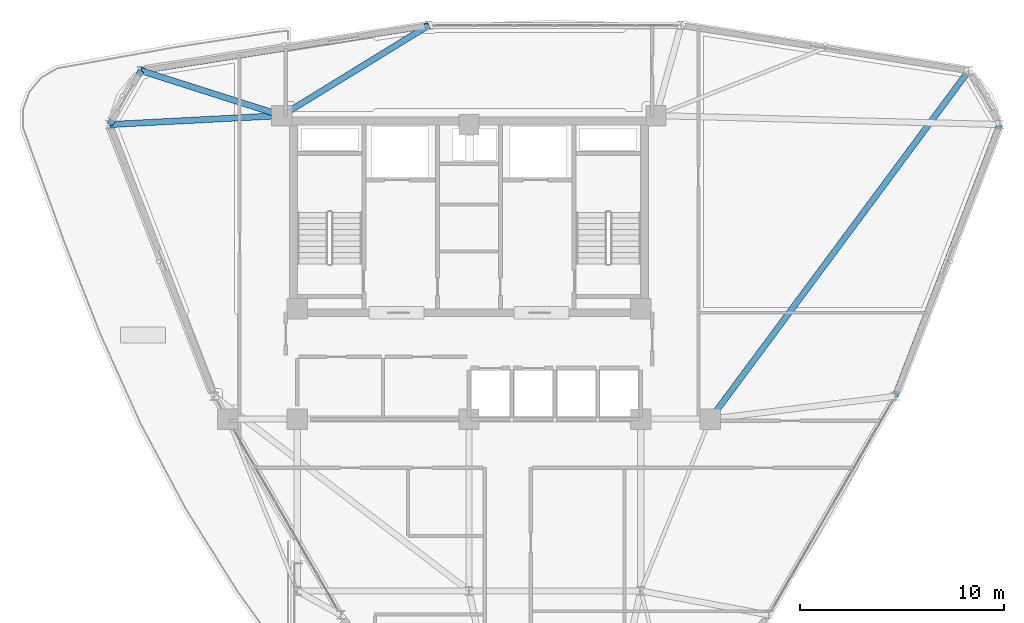
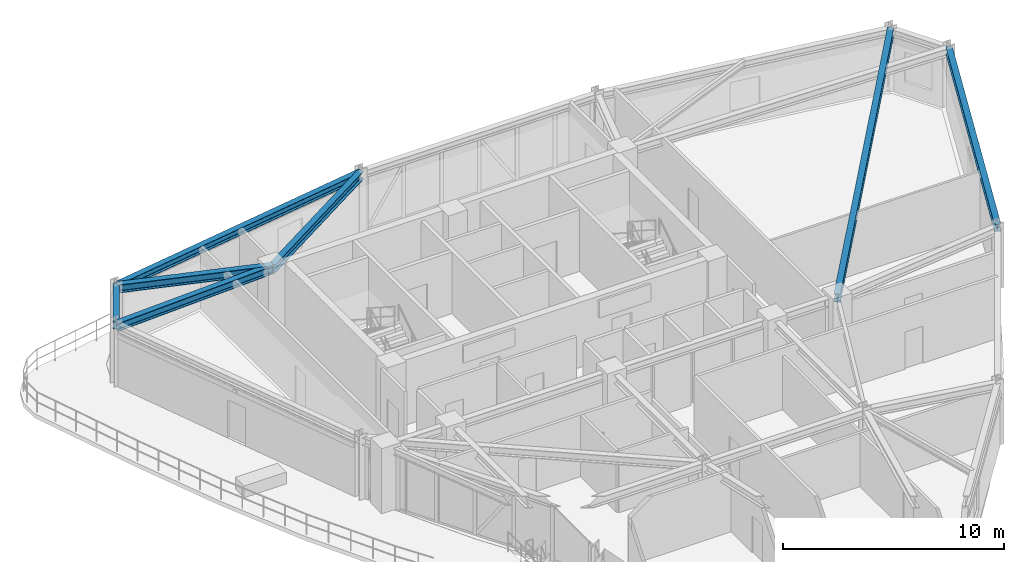
# One storey, part 7 of 19: 7 beams.
"""IFC4 building model written with IfcOpenShell, lengths in metres."""

import ifcopenshell
import ifcopenshell.guid

model = None  # the IFC model being written
_history = None  # IfcOwnerHistory: only IFC2X3 demands one
_inside = {}  # id of a spatial element -> (the spatial element, [elements in it])
_under = {}  # id of a project, library or spatial element -> (it, [spatial elements below it])
_declared = {}  # id of a project -> (the project, [libraries it declares])
_typed = {}  # id of a type object -> (the type object, [elements of that type])
_made_of = {}  # id of a material, layer set ... -> (it, [elements and type objects made of it])


def new_model(schema):
    """Start an empty IFC model of exactly this schema.

    Asked for "IFC4X3", IfcOpenShell would pick the latest addendum, in which some entities
    have other attributes; the version numbers below select the first issue.
    IFC2X3 requires an IfcOwnerHistory on every rooted entity: one is made here for all.
    """
    global model, _history
    if schema == "IFC4X3":
        model = ifcopenshell.file(schema_version=(4, 3, 0, 0))
    else:
        model = ifcopenshell.file(schema=schema)
    _inside.clear()
    _under.clear()
    _declared.clear()
    _typed.clear()
    _made_of.clear()
    _history = None
    if model.schema == "IFC2X3":
        org = make("IfcOrganization", Name="unknown")
        user = make(
            "IfcPersonAndOrganization",
            ThePerson=make("IfcPerson", FamilyName="unknown"),
            TheOrganization=org,
        )
        app = make(
            "IfcApplication",
            ApplicationDeveloper=org,
            Version="unknown",
            ApplicationFullName="unknown",
            ApplicationIdentifier="unknown",
        )
        _history = make(
            "IfcOwnerHistory",
            OwningUser=user,
            OwningApplication=app,
            ChangeAction="ADDED",
            CreationDate=0,
        )
    return model


def make(cls, **values):
    """One entity of the class cls with the attributes given. An attribute that is None is left unset."""
    return model.create_entity(
        cls, **{name: value for name, value in values.items() if value is not None}
    )


def rooted(cls, **values):
    """An entity with a GlobalId (a new one), such as an element, a storey or a relation."""
    return make(cls, GlobalId=ifcopenshell.guid.new(), OwnerHistory=_history, **values)


def si_unit(unit_type, name, prefix=None):
    """IfcSIUnit, for example si_unit("LENGTHUNIT", "METRE", prefix="MILLI")."""
    return make("IfcSIUnit", UnitType=unit_type, Prefix=prefix, Name=name)


def derived_unit(unit_type, elements):
    """IfcDerivedUnit: a product of units, each with its exponent."""
    return make(
        "IfcDerivedUnit",
        Elements=[
            make("IfcDerivedUnitElement", Unit=unit, Exponent=power)
            for unit, power in elements
        ],
        UnitType=unit_type,
    )


def assignment(units):
    """IfcUnitAssignment: the units of a project."""
    return None if units is None else make("IfcUnitAssignment", Units=units)


def point(xyz):
    """IfcCartesianPoint."""
    return None if xyz is None else make("IfcCartesianPoint", Coordinates=xyz)


def direction(xyz):
    """IfcDirection."""
    return None if xyz is None else make("IfcDirection", DirectionRatios=xyz)


def frame(location, z_axis=None, x_axis=None):
    """IfcAxis2Placement3D, a coordinate frame: its origin and axes. An axis left out is left unset."""
    return make(
        "IfcAxis2Placement3D",
        Location=point(location),
        Axis=direction(z_axis),
        RefDirection=direction(x_axis),
    )


def frame_2d(location, x_axis=None):
    """IfcAxis2Placement2D, a coordinate frame in the plane: its origin and x axis."""
    return make(
        "IfcAxis2Placement2D", Location=point(location), RefDirection=direction(x_axis)
    )


def origin():
    """The frame at (0, 0, 0) with its axes left unset."""
    return frame((0.0, 0.0, 0.0))


def origin_2d():
    """The frame at (0, 0) in the plane with its x axis left unset."""
    return frame_2d((0.0, 0.0))


def place(relative_to, where):
    """IfcLocalPlacement: puts the frame where relative to a parent placement (None: the world)."""
    return make(
        "IfcLocalPlacement", PlacementRelTo=relative_to, RelativePlacement=where
    )


def context(
    kind, dimensions, precision=None, world=None, true_north=None, identifier=None
):
    """IfcGeometricRepresentationContext, for example the 3D "Model" context."""
    return make(
        "IfcGeometricRepresentationContext",
        ContextIdentifier=identifier,
        ContextType=kind,
        CoordinateSpaceDimension=dimensions,
        Precision=precision,
        WorldCoordinateSystem=world,
        TrueNorth=true_north,
    )


def subcontext(parent, identifier, kind, view, scale=None):
    """IfcGeometricRepresentationSubContext, for example "Body" below "Model"."""
    return make(
        "IfcGeometricRepresentationSubContext",
        ContextIdentifier=identifier,
        ContextType=kind,
        ParentContext=parent,
        TargetScale=scale,
        TargetView=view,
    )


def project(units=None, contexts=None):
    """IfcProject with its units and contexts."""
    return rooted(
        "IfcProject",
        Name="project",
        RepresentationContexts=contexts,
        UnitsInContext=assignment(units),
    )


def spatial(cls, under=None, at=None, **own):
    """A site, building, storey or space (cls), placed at a placement, below another one or the project."""
    s = rooted(cls, ObjectPlacement=at, **own)
    if under is not None:
        _under.setdefault(under.id(), (under, []))[1].append(s)
    return s


def profile(cls, at=None, kind="AREA", **sizes):
    """A parametric profile (cls). Its sizes go by their IFC names, for example OverallWidth=200.0."""
    return make(cls, ProfileType=kind, Position=at, **sizes)


def i_section(**sizes):
    """IfcIShapeProfileDef."""
    return profile("IfcIShapeProfileDef", **sizes)


def extrude(swept, where, along, depth):
    """IfcExtrudedAreaSolid: the profile swept, set in the frame where, extruded along a direction by depth."""
    return make(
        "IfcExtrudedAreaSolid",
        SweptArea=swept,
        Position=where,
        ExtrudedDirection=direction(along),
        Depth=depth,
    )


def shape(context_of_items, identifier, shape_type, items):
    """IfcShapeRepresentation: the items that make up one representation, for example the "Body"."""
    return make(
        "IfcShapeRepresentation",
        ContextOfItems=context_of_items,
        RepresentationIdentifier=identifier,
        RepresentationType=shape_type,
        Items=items,
    )


def source(mapping_origin, context_of_items, identifier, shape_type, items):
    """IfcRepresentationMap: a shape defined once, which mapped items show again and again."""
    return make(
        "IfcRepresentationMap",
        MappingOrigin=mapping_origin,
        MappedRepresentation=shape(context_of_items, identifier, shape_type, items),
    )


def transform(
    local_origin,
    x_axis=None,
    y_axis=None,
    z_axis=None,
    scale=None,
    scale2=None,
    scale3=None,
    uniform=True,
):
    """IfcCartesianTransformationOperator3D, or its non-uniform kind. x_axis, y_axis, z_axis: its Axis1, 2, 3."""
    if uniform:
        return make(
            "IfcCartesianTransformationOperator3D",
            Axis1=direction(x_axis),
            Axis2=direction(y_axis),
            LocalOrigin=point(local_origin),
            Scale=scale,
            Axis3=direction(z_axis),
        )
    return make(
        "IfcCartesianTransformationOperator3DnonUniform",
        Axis1=direction(x_axis),
        Axis2=direction(y_axis),
        LocalOrigin=point(local_origin),
        Scale=scale,
        Axis3=direction(z_axis),
        Scale2=scale2,
        Scale3=scale3,
    )


def mapped(mapping_source, mapping_target):
    """IfcMappedItem: shows the shape of a source again, moved by a transform."""
    return make(
        "IfcMappedItem", MappingSource=mapping_source, MappingTarget=mapping_target
    )


def material(Name=None, Category=None):
    """IfcMaterial."""
    return make("IfcMaterial", Name=Name, Category=Category)


def material_profile(
    of_material, cross_section, Name=None, Category=None, Priority=None
):
    """IfcMaterialProfile: a cross section and its material."""
    return make(
        "IfcMaterialProfile",
        Name=Name,
        Material=of_material,
        Profile=cross_section,
        Priority=Priority,
        Category=Category,
    )


def profile_set(profiles, Name=None, composite=None):
    """IfcMaterialProfileSet."""
    return make(
        "IfcMaterialProfileSet",
        Name=Name,
        MaterialProfiles=profiles,
        CompositeProfile=composite,
    )


def made_of(thing, what):
    """Note that an element or type object is made of a material, layer set ...; save() writes the relation."""
    if what is not None:
        _made_of.setdefault(what.id(), (what, []))[1].append(thing)
    return thing


def type_object(cls, material=None, **own):
    """A type object (cls), such as IfcWallType, which elements share."""
    return made_of(rooted(cls, **own), material)


def element(
    cls,
    number,
    at=None,
    inside=None,
    cuts=None,
    type_object=None,
    material=None,
    context=None,
    identifier="Body",
    shape_type=None,
    held_by="IfcProductDefinitionShape",
    body=None,
    shapes=None,
    **own,
):
    """One element of the class cls, such as IfcWall. Its Tag is "e" and its number.

    at: its placement. inside: the storey or other place that contains it. cuts: it is an
    opening in that element (IfcRelVoidsElement). A single representation is given by context,
    identifier, shape_type and body (its items); several are given by shapes. held_by: the class
    of the entity that holds the representations. save() writes the other relations.
    """
    e = rooted(cls, Tag="e%d" % number, ObjectPlacement=at, **own)
    if body is not None:
        shapes = [shape(context, identifier, shape_type, body)]
    if shapes is not None:
        e.Representation = make(held_by, Representations=shapes)
    if inside is not None:
        _inside.setdefault(inside.id(), (inside, []))[1].append(e)
    if cuts is not None:
        rooted(
            "IfcRelVoidsElement", RelatingBuildingElement=cuts, RelatedOpeningElement=e
        )
    if type_object is not None:
        _typed.setdefault(type_object.id(), (type_object, []))[1].append(e)
    return made_of(e, material)


def aggregate(whole, parts):
    """IfcRelAggregates: a whole, such as a stair, and the parts it consists of."""
    return rooted("IfcRelAggregates", RelatingObject=whole, RelatedObjects=parts)


def save(model, path):
    """Write the relations noted so far, then the file.

    IfcRelAggregates (storeys below a building ...), IfcRelContainedInSpatialStructure (elements
    in a storey), IfcRelDefinesByType, IfcRelAssociatesMaterial and IfcRelDeclares: one each for
    every whole, place, type object, material and project.
    """
    for whole, parts in _under.values():
        aggregate(whole, parts)
    for where, things in _inside.values():
        rooted(
            "IfcRelContainedInSpatialStructure",
            RelatedElements=things,
            RelatingStructure=where,
        )
    for kind, things in _typed.values():
        rooted("IfcRelDefinesByType", RelatedObjects=things, RelatingType=kind)
    for what, things in _made_of.values():
        rooted("IfcRelAssociatesMaterial", RelatedObjects=things, RelatingMaterial=what)
    for by, libraries in _declared.values():
        rooted("IfcRelDeclares", RelatingContext=by, RelatedDefinitions=libraries)
    model.write(path)


model = new_model("IFC4")

# Units and contexts
model_context = context("Model", 3, precision=1e-05, world=origin(), true_north=direction((0.0, 1.0)))
body_context = subcontext(model_context, "Body", "Model", "MODEL_VIEW")
ifc_project = project(units=[si_unit("LENGTHUNIT", "METRE"), si_unit("AREAUNIT", "SQUARE_METRE"), si_unit("VOLUMEUNIT", "CUBIC_METRE"), si_unit("PLANEANGLEUNIT", "RADIAN"), si_unit("MASSUNIT", "GRAM", prefix="KILO"), derived_unit("THERMALTRANSMITTANCEUNIT", [(si_unit("POWERUNIT", "WATT"), 1), (si_unit("LENGTHUNIT", "METRE"), -2), (si_unit("THERMODYNAMICTEMPERATUREUNIT", "KELVIN"), -1)])], contexts=[model_context])

# Site, building, storey
site_placement = place(None, origin())
site = spatial("IfcSite", under=ifc_project, at=site_placement, CompositionType="ELEMENT")
building_placement = place(site_placement, origin())
building = spatial("IfcBuilding", under=site, at=building_placement, Name="Korsvarv Bourse and Concert Hall", CompositionType="ELEMENT")
storey_placement = place(building_placement, frame((0.0, 0.0, 205.800048828125)))
storey = spatial("IfcBuildingStorey", under=building, at=storey_placement, Name="L53", CompositionType="ELEMENT", Elevation=205.800048828125)

# Beams
ifc_material = material(Name="Steel S355", Category="steel")
ifc_material_profile_1 = material_profile(ifc_material, i_section(OverallWidth=0.300048828125, OverallDepth=0.389892578125, WebThickness=0.010986328125, FlangeThickness=0.01904296875, FilletRadius=0.02099609375, at=origin_2d()), Name="HEA 400")
ifc_profile_set_1 = profile_set([ifc_material_profile_1], Name="Steel S355")
beam_type_1 = type_object("IfcBeamType", Name="BM-HEA400", PredefinedType="BEAM", material=ifc_profile_set_1)
shared_shape_1 = source(origin(), body_context, "Body", "SweptSolid", [
    extrude(i_section(OverallWidth=0.300048828125, OverallDepth=0.389892578125, WebThickness=0.010986328125, FlangeThickness=0.01904296875, FilletRadius=0.02099609375, at=origin_2d()), origin(), (0.0, 0.0, 1.0), 14.244384765625),
])
for number, where, z_axis, x_axis, name in (
    (1, (34.023193359375, 51.66162109375, 3.21484375), (-0.987848421063, -0.15542038799, 0.0), (0.15542038799, -0.987848421063, 0.0), "L53 beam B-11"),
    (2, (56.851806640625, 33.518310546875, 3.21484375), (0.359329353343, 0.93321080996, 0.0), (-0.93321080996, 0.359329353343, 0.0), "L53 beam B-11"),
):
    element("IfcBeam", number, at=place(storey_placement, frame(where, z_axis=z_axis, x_axis=x_axis)), inside=storey, type_object=beam_type_1, Name=name, PredefinedType="BEAM", context=body_context, shape_type="MappedRepresentation", body=[
        mapped(shared_shape_1, transform((0.0, 0.0, 0.0), scale=1.0)),
    ])
shared_shape_2 = source(origin(), body_context, "Body", "SweptSolid", [
    extrude(i_section(OverallWidth=0.300048828125, OverallDepth=0.389892578125, WebThickness=0.010986328125, FlangeThickness=0.01904296875, FilletRadius=0.02099609375, at=origin_2d()), origin(), (0.0, 0.0, 1.0), 3.044189453125),
])
beam_1_placement = place(storey_placement, frame((19.951904296875, 49.44775390625, 3.21484375), z_axis=(-0.499951546443, -0.866053376651, 0.0), x_axis=(0.866053376651, -0.499951546443, 0.0)))
element("IfcBeam", 3, at=beam_1_placement, inside=storey, type_object=beam_type_1, Name="L53 beam B-11", PredefinedType="BEAM", context=body_context, shape_type="MappedRepresentation", body=[
    mapped(shared_shape_2, transform((0.0, 0.0, 0.0), scale=1.0)),
])
ifc_material_profile_2 = material_profile(ifc_material, i_section(OverallWidth=0.300048828125, OverallDepth=0.449951171875, WebThickness=0.013916015625, FlangeThickness=0.02587890625, FilletRadius=0.02099609375, at=origin_2d()), Name="HEB 450")
ifc_profile_set_2 = profile_set([ifc_material_profile_2], Name="Steel S355")
beam_type_2 = type_object("IfcBeamType", Name="BM-HEB450", PredefinedType="SPANDREL", material=ifc_profile_set_2)
shared_shape_3 = source(origin(), body_context, "Body", "SweptSolid", [
    extrude(i_section(OverallWidth=0.300048828125, OverallDepth=0.449951171875, WebThickness=0.013916015625, FlangeThickness=0.02587890625, FilletRadius=0.02099609375, at=origin_2d()), origin(), (0.0, 0.0, 1.0), 21.227294921875),
])
beam_2_placement = place(storey_placement, frame((60.447998046875, 49.44775390625, 3.18505859375), z_axis=(-0.595833045411, -0.803108325194, 0.0), x_axis=(0.803108325194, -0.595833045411, 0.0)))
element("IfcBeam", 4, at=beam_2_placement, inside=storey, type_object=beam_type_2, Name="L53 beam B-08", PredefinedType="SPANDREL", context=body_context, shape_type="MappedRepresentation", body=[
    mapped(shared_shape_3, transform((0.0, 0.0, 0.0), scale=1.0)),
])
shared_shape_4 = source(origin(), body_context, "Body", "SweptSolid", [
    extrude(i_section(OverallWidth=0.300048828125, OverallDepth=0.449951171875, WebThickness=0.013916015625, FlangeThickness=0.02587890625, FilletRadius=0.02099609375, at=origin_2d()), origin(), (0.0, 0.0, 1.0), 8.421142578125),
])
beam_3_placement = place(storey_placement, frame((34.023193359375, 51.66162109375, 3.18505859375), z_axis=(-0.85179565432, -0.5238741865, 0.0), x_axis=(0.5238741865, -0.85179565432, 0.0)))
element("IfcBeam", 5, at=beam_3_placement, inside=storey, type_object=beam_type_2, Name="L53 beam B-08", PredefinedType="SPANDREL", context=body_context, shape_type="MappedRepresentation", body=[
    mapped(shared_shape_4, transform((0.0, 0.0, 0.0), scale=1.0)),
])
shared_shape_5 = source(origin(), body_context, "Body", "SweptSolid", [
    extrude(i_section(OverallWidth=0.300048828125, OverallDepth=0.449951171875, WebThickness=0.013916015625, FlangeThickness=0.02587890625, FilletRadius=0.02099609375, at=origin_2d()), origin(), (0.0, 0.0, 1.0), 7.23974609375),
])
beam_4_placement = place(storey_placement, frame((19.951904296875, 49.44775390625, 3.18505859375), z_axis=(0.952811006902, -0.303564136759, 0.0), x_axis=(0.303564136759, 0.952811006902, 0.0)))
element("IfcBeam", 6, at=beam_4_placement, inside=storey, type_object=beam_type_2, Name="L53 beam B-08", PredefinedType="SPANDREL", context=body_context, shape_type="MappedRepresentation", body=[
    mapped(shared_shape_5, transform((0.0, 0.0, 0.0), scale=1.0)),
])
shared_shape_6 = source(origin(), body_context, "Body", "SweptSolid", [
    extrude(i_section(OverallWidth=0.300048828125, OverallDepth=0.449951171875, WebThickness=0.013916015625, FlangeThickness=0.02587890625, FilletRadius=0.02099609375, at=origin_2d()), origin(), (0.0, 0.0, 1.0), 8.431640625),
])
beam_5_placement = place(storey_placement, frame((18.429931640625, 46.811279296875, 3.18505859375), z_axis=(0.998645366563, 0.052032988017, 0.0), x_axis=(-0.052032988017, 0.998645366563, 0.0)))
element("IfcBeam", 7, at=beam_5_placement, inside=storey, type_object=beam_type_2, Name="L53 beam B-08", PredefinedType="SPANDREL", context=body_context, shape_type="MappedRepresentation", body=[
    mapped(shared_shape_6, transform((0.0, 0.0, 0.0), scale=1.0)),
])

save(model, "model.ifc")
